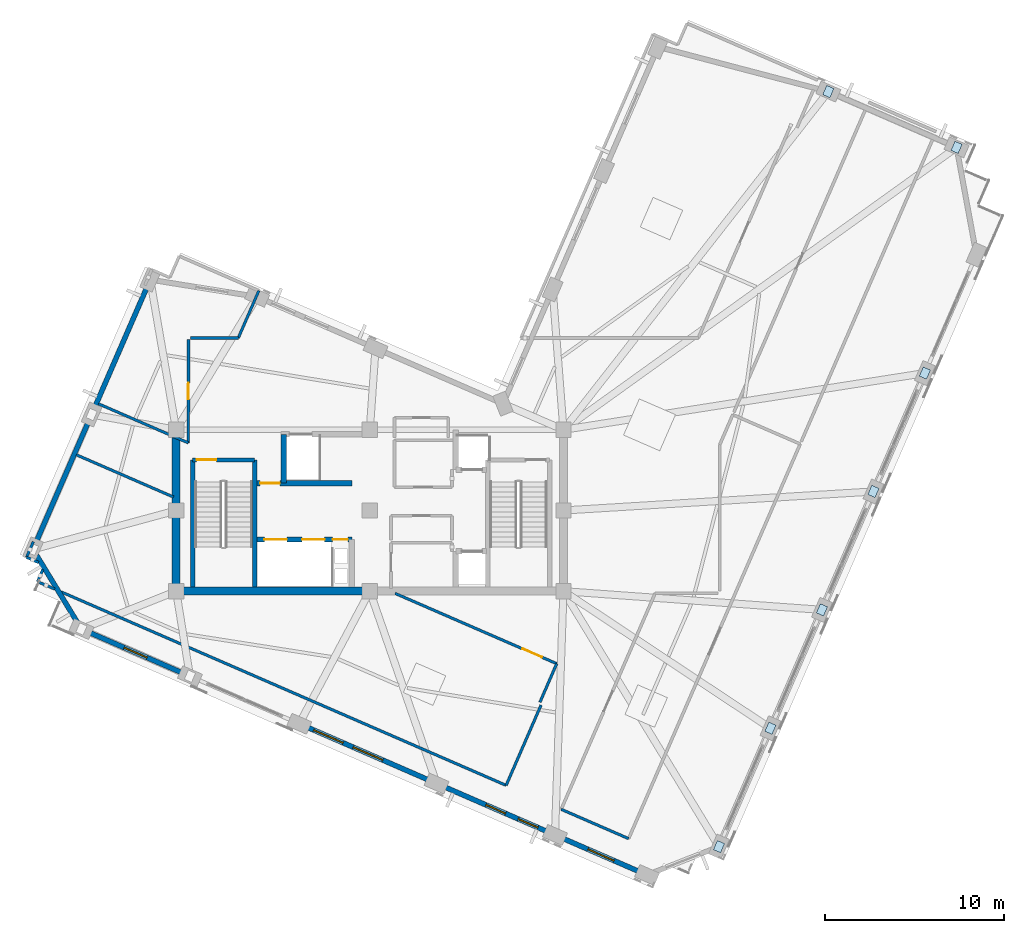
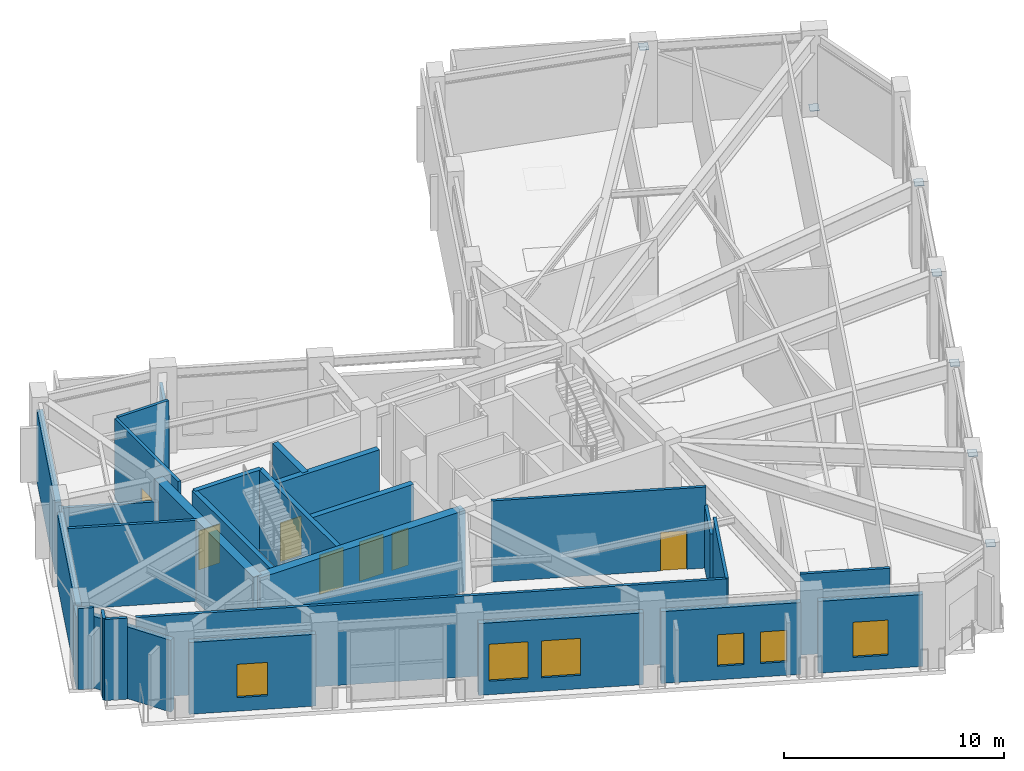
# One storey, part 10 of 16: 29 walls, 7 doors, 7 plates, 6 windows, 13 openings.
"""IFC4 building model written with IfcOpenShell, lengths in metres."""

from ifc_helpers import new_model, si_unit, direction, frame, frame_2d, origin, origin_2d, place, context, subcontext, project, spatial, rectangle, extrude, material, layer, layer_set, type_object, element, fill, save


model = new_model("IFC4")

# Units and contexts
model_context = context("Model", 3, precision=1e-05, world=origin(), true_north=direction((0.0, 1.0)))
body_context = subcontext(model_context, "Body", "Model", "MODEL_VIEW")
ifc_project = project(units=[si_unit("LENGTHUNIT", "METRE"), si_unit("AREAUNIT", "SQUARE_METRE"), si_unit("VOLUMEUNIT", "CUBIC_METRE"), si_unit("PLANEANGLEUNIT", "RADIAN"), si_unit("MASSUNIT", "GRAM", prefix="KILO")], contexts=[model_context])

# Site, building, storey
site_placement = place(None, origin())
site = spatial("IfcSite", under=ifc_project, at=site_placement, CompositionType="ELEMENT")
building_placement = place(site_placement, origin())
building = spatial("IfcBuilding", under=site, at=building_placement, Name="Gaonmaruhae Medical Tower", CompositionType="ELEMENT")
storey_placement = place(building_placement, frame((0.0, 0.0, 333.39990234375)))
storey = spatial("IfcBuildingStorey", under=building, at=storey_placement, Name="L80", CompositionType="ELEMENT", Elevation=333.39990234375)

# Plates
ifc_material_1 = material(Name="Steel HSA650 (650 MPa)", Category="steel")
ifc_layer_1 = layer(ifc_material_1, 0.028076171875)
ifc_layer_set_1 = layer_set([ifc_layer_1], Name="Steel HSA650 (650 MPa)")
plate_type = type_object("IfcPlateType", Name="GP-02 Tube Brace End Cap Gusset Plate", PredefinedType="USERDEFINED", material=ifc_layer_set_1)
for number, where, z_axis, x_axis, name in (
    (1, (57.525634765625, 32.552734375, 0.23583984375), (0.0, 0.0, 1.0), (0.398749068925, 0.917060074385, 0.0), "L80 Gusset Cap Plate PLT-L80-PBR-E01A"),
    (2, (50.372802734375, 35.662841796875, 4.23583984375), (0.0, 0.0, 1.0), (0.398749068925, 0.917060074385, 0.0), "L80 Gusset Cap Plate PLT-L80-PBR-E01B"),
    (3, (44.275146484375, -6.448486328125, 4.3310546875), (0.0, 0.0, 1.0), (0.398749068925, 0.917060074385, 0.0), "L80 Gusset Cap Plate PLT-L80-PR01A"),
    (4, (47.14599609375, 0.154296875, 4.3310546875), (0.0, 0.0, 1.0), (0.398749068925, 0.917060074385, 0.0), "L80 Gusset Cap Plate PLT-L80-PR01B"),
    (5, (50.01708984375, 6.75732421875, 4.3310546875), (0.0, 0.0, 1.0), (0.398749068925, 0.917060074385, 0.0), "L80 Gusset Cap Plate PLT-L80-PR02B"),
    (6, (52.88818359375, 13.360107421875, 4.3310546875), (0.0, 0.0, 1.0), (0.398749068925, 0.917060074385, 0.0), "L80 Gusset Cap Plate PLT-L80-PR03B"),
    (7, (55.759033203125, 19.962890625, 4.3310546875), (0.0, 0.0, 1.0), (0.398749068925, 0.917060074385, 0.0), "L80 Gusset Cap Plate PLT-L80-PR04B"),
):
    element("IfcPlate", number, at=place(storey_placement, frame(where, z_axis=z_axis, x_axis=x_axis)), inside=storey, type_object=plate_type, Name=name, ObjectType="GUSSET_PLATE", PredefinedType="USERDEFINED", context=body_context, shape_type="SweptSolid", body=[
        extrude(rectangle(XDim=0.56005859375, YDim=0.43994140625, at=origin_2d()), origin(), (0.0, 0.0, 1.0), 0.028076171875),
    ])

# Walls
ifc_material_2 = material(Name="Concrete C50/60", Category="concrete")
ifc_layer_2 = layer(ifc_material_2, 0.449951171875)
ifc_layer_set_2 = layer_set([ifc_layer_2], Name="Concrete C50/60")
wall_type_1 = type_object("IfcWallType", Name="CW-450 Upper Core Shear Wall", PredefinedType="SHEAR", material=ifc_layer_set_2)
wall_1_placement = place(storey_placement, frame((14.0, 7.800048828125, 0.0), z_axis=(0.0, 0.0, 1.0), x_axis=(1.0, 0.0, 0.0)))
element("IfcWall", 8, at=wall_1_placement, inside=storey, type_object=wall_type_1, Name="L80 Core Shear Wall CSW-S1", PredefinedType="SHEAR", context=body_context, shape_type="SweptSolid", body=[
    extrude(rectangle(XDim=10.800048828125, YDim=0.449951171875, at=frame_2d((5.39990234375, 0.0))), origin(), (0.0, 0.0, 1.0), 4.5),
])
wall_2_placement = place(storey_placement, frame((14.0, 16.800048828125, 0.0), z_axis=(0.0, 0.0, 1.0), x_axis=(0.0, -1.0, 0.0)))
element("IfcWall", 9, at=wall_2_placement, inside=storey, type_object=wall_type_1, Name="L80 Core Shear Wall CSW-W1", PredefinedType="SHEAR", context=body_context, shape_type="SweptSolid", body=[
    extrude(rectangle(XDim=9.0, YDim=0.449951171875, at=frame_2d((4.5, 0.0))), origin(), (0.0, 0.0, 1.0), 4.5),
])
ifc_material_3 = material(Name="Precast concrete C45/55", Category="concrete")
ifc_layer_3 = layer(ifc_material_3, 0.280029296875)
ifc_layer_set_3 = layer_set([ifc_layer_3], Name="Precast concrete C45/55")
wall_type_2 = type_object("IfcWallType", Name="EW-280 Upper Precast Masonry-Frame Facade Wall", PredefinedType="SOLIDWALL", material=ifc_layer_set_3)
wall_3_placement = place(storey_placement, frame((9.44189453125, 18.01806640625, 0.0), z_axis=(0.0, 0.0, 1.0), x_axis=(0.398768305896, 0.917051709672, 0.0)))
element("IfcWall", 10, at=wall_3_placement, inside=storey, type_object=wall_type_2, Name="L80 Precast Masonry-Frame Wall N01-N02", PredefinedType="SOLIDWALL", context=body_context, shape_type="SweptSolid", body=[
    extrude(rectangle(XDim=7.405029296875, YDim=0.280029296875, at=frame_2d((3.70263671875, 0.0))), origin(), (0.0, 0.0, 1.0), 3.985107421875),
])
wall_4_placement = place(storey_placement, frame((6.17236328125, 10.498046875, 0.0), z_axis=(0.0, 0.0, 1.0), x_axis=(0.398740578379, 0.917063766133, 0.0)))
element("IfcWall", 11, at=wall_4_placement, inside=storey, type_object=wall_type_2, Name="L80 Precast Masonry-Frame Wall N02-N03", PredefinedType="SOLIDWALL", context=body_context, shape_type="SweptSolid", body=[
    extrude(rectangle(XDim=7.40478515625, YDim=0.280029296875, at=frame_2d((3.702392578125, 0.0))), origin(), (0.0, 0.0, 1.0), 3.985107421875),
])
wall_5_placement = place(storey_placement, frame((8.508544921875, 6.02734375, 0.0), z_axis=(0.0, 0.0, 1.0), x_axis=(-0.51924554751, 0.854625099907, 0.0)))
element("IfcWall", 12, at=wall_5_placement, inside=storey, type_object=wall_type_2, Name="L80 Precast Masonry-Frame Wall N03-W01", PredefinedType="SOLIDWALL", context=body_context, shape_type="SweptSolid", body=[
    extrude(rectangle(XDim=4.406982421875, YDim=0.280029296875, at=frame_2d((2.20361328125, 0.0))), origin(), (0.0, 0.0, 1.0), 3.985107421875),
])

# Wall, opening, window
wall_6_placement = place(storey_placement, frame((14.403076171875, 3.214599609375, 0.0), z_axis=(0.0, 0.0, 1.0), x_axis=(-0.917061363729, 0.398746103624, 0.0)))
wall_6 = element("IfcWall", 13, at=wall_6_placement, inside=storey, type_object=wall_type_2, Name="L80 Precast Masonry-Frame Wall W01-W02", PredefinedType="SOLIDWALL", context=body_context, shape_type="SweptSolid", body=[
    extrude(rectangle(XDim=5.804931640625, YDim=0.280029296875, at=frame_2d((2.90234375, 0.0))), origin(), (0.0, 0.0, 1.0), 3.985107421875),
])
opening_1_placement = place(wall_6_placement, frame((2.202392578125, 0.0, 0.75)))
opening_1 = element("IfcOpeningElement", 14, at=opening_1_placement, cuts=wall_6, Name="Opening WN-03", PredefinedType="OPENING", context=body_context, shape_type="SweptSolid", body=[
    extrude(rectangle(XDim=1.39990234375, YDim=1.85009765625, at=frame_2d((0.699951171875, 0.925048828125))), frame((0.0, 0.14990234375, 0.0), z_axis=(0.0, -1.0, 0.0), x_axis=(1.0, 0.0, 0.0)), (0.0, 0.0, 1.0), 0.300048828125),
])
ifc_material_4 = material(Name="Anodised aluminium and Low-E double glazing", Category="aluminium")
window_type_1 = type_object("IfcWindowType", Name="WN-03 Isolation Ward Punched Window 1400x1850", PartitioningType="SINGLE_PANEL", PredefinedType="WINDOW", material=ifc_material_4)
window_1_placement = place(opening_1_placement, origin())
window_1 = element("IfcWindow", 15, at=window_1_placement, inside=storey, type_object=window_type_1, Name="L80 Modular Facade Window W01", OverallHeight=1.85009765625, OverallWidth=1.39990234375, PartitioningType="SINGLE_PANEL", PredefinedType="WINDOW", context=body_context, shape_type="SweptSolid", body=[
    extrude(rectangle(XDim=1.39990234375, YDim=1.85009765625, at=frame_2d((0.699951171875, 0.925048828125))), frame((0.0, 0.030029296875, 0.0), z_axis=(0.0, -1.0, 0.0), x_axis=(1.0, 0.0, 0.0)), (0.0, 0.0, 1.0), 0.06005859375),
])
fill(opening_1, window_1)

# Wall, openings, windows
wall_7_placement = place(storey_placement, frame((28.158935546875, -2.766845703125, 0.0), z_axis=(0.0, 0.0, 1.0), x_axis=(-0.917061321999, 0.398746199597, 0.0)))
wall_7 = element("IfcWall", 16, at=wall_7_placement, inside=storey, type_object=wall_type_2, Name="L80 Precast Masonry-Frame Wall W03-W04", PredefinedType="SOLIDWALL", context=body_context, shape_type="SweptSolid", body=[
    extrude(rectangle(XDim=7.5546875, YDim=0.280029296875, at=frame_2d((3.77734375, 0.0))), origin(), (0.0, 0.0, 1.0), 3.985107421875),
])
opening_2_placement = place(wall_7_placement, frame((2.87744140625, 0.0, 0.75)))
opening_2 = element("IfcOpeningElement", 17, at=opening_2_placement, cuts=wall_7, Name="Opening WN-04", PredefinedType="OPENING", context=body_context, shape_type="SweptSolid", body=[
    extrude(rectangle(XDim=1.800048828125, YDim=2.050048828125, at=frame_2d((0.89990234375, 1.02490234375))), frame((0.0, 0.14990234375, 0.0), z_axis=(0.0, -1.0, 0.0), x_axis=(1.0, 0.0, 0.0)), (0.0, 0.0, 1.0), 0.300048828125),
])
opening_3_placement = place(wall_7_placement, frame((5.281005859375, 0.0, 0.75)))
opening_3 = element("IfcOpeningElement", 18, at=opening_3_placement, cuts=wall_7, Name="Opening WN-04", PredefinedType="OPENING", context=body_context, shape_type="SweptSolid", body=[
    extrude(rectangle(XDim=1.800048828125, YDim=2.050048828125, at=frame_2d((0.89990234375, 1.02490234375))), frame((0.0, 0.14990234375, 0.0), z_axis=(0.0, -1.0, 0.0), x_axis=(1.0, 0.0, 0.0)), (0.0, 0.0, 1.0), 0.300048828125),
])
window_type_2 = type_object("IfcWindowType", Name="WN-04 Clinic & Consult Punched Window 1800x2050", PartitioningType="SINGLE_PANEL", PredefinedType="WINDOW", material=ifc_material_4)
window_2_placement = place(opening_2_placement, origin())
window_2 = element("IfcWindow", 19, at=window_2_placement, inside=storey, type_object=window_type_2, Name="L80 Modular Facade Window W03", OverallHeight=2.050048828125, OverallWidth=1.800048828125, PartitioningType="SINGLE_PANEL", PredefinedType="WINDOW", context=body_context, shape_type="SweptSolid", body=[
    extrude(rectangle(XDim=1.800048828125, YDim=2.050048828125, at=frame_2d((0.89990234375, 1.02490234375))), frame((0.0, 0.030029296875, 0.0), z_axis=(0.0, -1.0, 0.0), x_axis=(1.0, 0.0, 0.0)), (0.0, 0.0, 1.0), 0.06005859375),
])
fill(opening_2, window_2)
window_3_placement = place(opening_3_placement, origin())
window_3 = element("IfcWindow", 20, at=window_3_placement, inside=storey, type_object=window_type_2, Name="L80 Modular Facade Window W03B", OverallHeight=2.050048828125, OverallWidth=1.800048828125, PartitioningType="SINGLE_PANEL", PredefinedType="WINDOW", context=body_context, shape_type="SweptSolid", body=[
    extrude(rectangle(XDim=1.800048828125, YDim=2.050048828125, at=frame_2d((0.89990234375, 1.02490234375))), frame((0.0, 0.030029296875, 0.0), z_axis=(0.0, -1.0, 0.0), x_axis=(1.0, 0.0, 0.0)), (0.0, 0.0, 1.0), 0.06005859375),
])
fill(opening_3, window_3)

wall_8_placement = place(storey_placement, frame((34.76171875, -5.6376953125, 0.0), z_axis=(0.0, 0.0, 1.0), x_axis=(-0.917056117272, 0.398758169539, 0.0)))
wall_8 = element("IfcWall", 21, at=wall_8_placement, inside=storey, type_object=wall_type_2, Name="L80 Precast Masonry-Frame Wall W04-W05", PredefinedType="SOLIDWALL", context=body_context, shape_type="SweptSolid", body=[
    extrude(rectangle(XDim=6.40478515625, YDim=0.280029296875, at=frame_2d((3.202392578125, 0.0))), origin(), (0.0, 0.0, 1.0), 3.985107421875),
])
opening_4_placement = place(wall_8_placement, frame((2.6025390625, 0.0, 0.75)))
opening_4 = element("IfcOpeningElement", 22, at=opening_4_placement, cuts=wall_8, Name="Opening WN-05", PredefinedType="OPENING", context=body_context, shape_type="SweptSolid", body=[
    extrude(rectangle(XDim=1.199951171875, YDim=1.75, at=frame_2d((0.60009765625, 0.875))), frame((0.0, 0.14990234375, 0.0), z_axis=(0.0, -1.0, 0.0), x_axis=(1.0, 0.0, 0.0)), (0.0, 0.0, 1.0), 0.300048828125),
])
opening_5_placement = place(wall_8_placement, frame((0.63623046875, 0.0, 0.75)))
opening_5 = element("IfcOpeningElement", 23, at=opening_5_placement, cuts=wall_8, Name="Opening WN-05", PredefinedType="OPENING", context=body_context, shape_type="SweptSolid", body=[
    extrude(rectangle(XDim=1.199951171875, YDim=1.75, at=frame_2d((0.60009765625, 0.875))), frame((0.0, 0.14990234375, 0.0), z_axis=(0.0, -1.0, 0.0), x_axis=(1.0, 0.0, 0.0)), (0.0, 0.0, 1.0), 0.300048828125),
])
window_type_3 = type_object("IfcWindowType", Name="WN-05 Support & Staff Punched Window 1200x1750", PartitioningType="SINGLE_PANEL", PredefinedType="WINDOW", material=ifc_material_4)
window_4_placement = place(opening_4_placement, origin())
window_4 = element("IfcWindow", 24, at=window_4_placement, inside=storey, type_object=window_type_3, Name="L80 Modular Facade Window W04", OverallHeight=1.75, OverallWidth=1.199951171875, PartitioningType="SINGLE_PANEL", PredefinedType="WINDOW", context=body_context, shape_type="SweptSolid", body=[
    extrude(rectangle(XDim=1.199951171875, YDim=1.75, at=frame_2d((0.60009765625, 0.875))), frame((0.0, 0.030029296875, 0.0), z_axis=(0.0, -1.0, 0.0), x_axis=(1.0, 0.0, 0.0)), (0.0, 0.0, 1.0), 0.06005859375),
])
fill(opening_4, window_4)
window_5_placement = place(opening_5_placement, origin())
window_5 = element("IfcWindow", 25, at=window_5_placement, inside=storey, type_object=window_type_3, Name="L80 Modular Facade Window W04B", OverallHeight=1.75, OverallWidth=1.199951171875, PartitioningType="SINGLE_PANEL", PredefinedType="WINDOW", context=body_context, shape_type="SweptSolid", body=[
    extrude(rectangle(XDim=1.199951171875, YDim=1.75, at=frame_2d((0.60009765625, 0.875))), frame((0.0, 0.030029296875, 0.0), z_axis=(0.0, -1.0, 0.0), x_axis=(1.0, 0.0, 0.0)), (0.0, 0.0, 1.0), 0.06005859375),
])
fill(opening_5, window_5)

# Wall, opening, window
wall_9_placement = place(storey_placement, frame((39.897216796875, -7.870849609375, 0.0), z_axis=(0.0, 0.0, 1.0), x_axis=(-0.917050667534, 0.398770702505, 0.0)))
wall_9 = element("IfcWall", 26, at=wall_9_placement, inside=storey, type_object=wall_type_2, Name="L80 Precast Masonry-Frame Wall W05-W06", PredefinedType="SOLIDWALL", context=body_context, shape_type="SweptSolid", body=[
    extrude(rectangle(XDim=4.8046875, YDim=0.280029296875, at=frame_2d((2.40234375, 0.0))), origin(), (0.0, 0.0, 1.0), 3.985107421875),
])
opening_6_placement = place(wall_9_placement, frame((1.6025390625, 0.0, 0.75)))
opening_6 = element("IfcOpeningElement", 27, at=opening_6_placement, cuts=wall_9, Name="Opening WN-01", PredefinedType="OPENING", context=body_context, shape_type="SweptSolid", body=[
    extrude(rectangle(XDim=1.60009765625, YDim=1.949951171875, at=frame_2d((0.800048828125, 0.97509765625))), frame((0.0, 0.14990234375, 0.0), z_axis=(0.0, -1.0, 0.0), x_axis=(1.0, 0.0, 0.0)), (0.0, 0.0, 1.0), 0.300048828125),
])
window_type_4 = type_object("IfcWindowType", Name="WN-01 Ward Punched Acoustic Window 1600x1950", PartitioningType="SINGLE_PANEL", PredefinedType="WINDOW", material=ifc_material_4)
window_6_placement = place(opening_6_placement, origin())
window_6 = element("IfcWindow", 28, at=window_6_placement, inside=storey, type_object=window_type_4, Name="L80 Modular Facade Window W05", OverallHeight=1.949951171875, OverallWidth=1.60009765625, PartitioningType="SINGLE_PANEL", PredefinedType="WINDOW", context=body_context, shape_type="SweptSolid", body=[
    extrude(rectangle(XDim=1.60009765625, YDim=1.949951171875, at=frame_2d((0.800048828125, 0.97509765625))), frame((0.0, 0.030029296875, 0.0), z_axis=(0.0, -1.0, 0.0), x_axis=(1.0, 0.0, 0.0)), (0.0, 0.0, 1.0), 0.06005859375),
])
fill(opening_6, window_6)

# Walls
ifc_material_5 = material(Name="Gypsum board partition", Category="gypsum")
ifc_layer_4 = layer(ifc_material_5, 0.14990234375)
ifc_layer_set_4 = layer_set([ifc_layer_4], Name="Gypsum board partition")
wall_type_3 = type_object("IfcWallType", Name="PW-150 Rated Clinical Corridor Partition", PredefinedType="PARTITIONING", material=ifc_layer_set_4)
wall_10_placement = place(storey_placement, frame((39.235107421875, -6.001953125, 0.0), z_axis=(0.0, 0.0, 1.0), x_axis=(-0.917050175276, 0.398771834545, 0.0)))
element("IfcWall", 29, at=wall_10_placement, inside=storey, type_object=wall_type_3, Name="L80 Interior Partition L80-LOOK-18", PredefinedType="PARTITIONING", context=body_context, shape_type="SweptSolid", body=[
    extrude(rectangle(XDim=4.10009765625, YDim=0.14990234375, at=frame_2d((2.050048828125, 0.0))), origin(), (0.0, 0.0, 1.0), 4.5),
])
wall_11_placement = place(storey_placement, frame((5.656982421875, 9.68896484375, 0.0), z_axis=(0.0, 0.0, 1.0), x_axis=(0.398763788566, 0.917053673963, 0.0)))
element("IfcWall", 30, at=wall_11_placement, inside=storey, type_object=wall_type_3, Name="L80 Interior Partition L80-OFF-32", PredefinedType="PARTITIONING", context=body_context, shape_type="SweptSolid", body=[
    extrude(rectangle(XDim=0.94775390625, YDim=0.14990234375, at=frame_2d((0.473876953125, 0.0))), origin(), (0.0, 0.0, 1.0), 3.985107421875),
])
wall_12_placement = place(storey_placement, frame((8.431884765625, 15.406005859375, 0.0), z_axis=(0.0, 0.0, 1.0), x_axis=(0.917075309006, -0.398714029865, 0.0)))
element("IfcWall", 31, at=wall_12_placement, inside=storey, type_object=wall_type_3, Name="L80 Interior Partition L80-OFF-33", PredefinedType="PARTITIONING", context=body_context, shape_type="SweptSolid", body=[
    extrude(rectangle(XDim=5.911376953125, YDim=0.14990234375, at=frame_2d((2.95556640625, 0.0))), origin(), (0.0, 0.0, 1.0), 4.5),
])

# Wall, opening, door
wall_13_placement = place(storey_placement, frame((26.214111328125, 7.675048828125, 0.0), z_axis=(0.0, 0.0, 1.0), x_axis=(0.91704872202, -0.398775176561, 0.0)))
wall_13 = element("IfcWall", 32, at=wall_13_placement, inside=storey, type_object=wall_type_3, Name="L80 Interior Partition L80-OFF-34", PredefinedType="PARTITIONING", context=body_context, shape_type="SweptSolid", body=[
    extrude(rectangle(XDim=9.824951171875, YDim=0.14990234375, at=frame_2d((4.91259765625, 0.0))), origin(), (0.0, 0.0, 1.0), 4.5),
])
opening_7_placement = place(wall_13_placement, frame((7.739990234375, 0.0, 0.0)))
opening_7 = element("IfcOpeningElement", 33, at=opening_7_placement, cuts=wall_13, Name="Opening CD-02", PredefinedType="OPENING", context=body_context, shape_type="SweptSolid", body=[
    extrude(rectangle(XDim=1.199951171875, YDim=2.14990234375, at=frame_2d((0.60009765625, 1.074951171875))), frame((0.0, 0.0849609375, 0.0), z_axis=(0.0, -1.0, 0.0), x_axis=(1.0, 0.0, 0.0)), (0.0, 0.0, 1.0), 0.169921875),
])
ifc_material_6 = material(Name="Antimicrobial laminate timber fire door", Category="wood")
door_type_1 = type_object("IfcDoorType", Name="CD-02 Clinical Treatment & Procedure Door 1200x2150", OperationType="NOTDEFINED", PredefinedType="DOOR", material=ifc_material_6)
door_1_placement = place(opening_7_placement, origin())
door_1 = element("IfcDoor", 34, at=door_1_placement, inside=storey, type_object=door_type_1, Name="L80 Observation Deck Security and Visitor Office Door", OperationType="SINGLE_SWING_LEFT", OverallHeight=2.14990234375, OverallWidth=1.199951171875, PredefinedType="DOOR", context=body_context, shape_type="SweptSolid", body=[
    extrude(rectangle(XDim=1.199951171875, YDim=2.14990234375, at=frame_2d((0.60009765625, 1.074951171875))), frame((0.0, 0.02490234375, 0.0), z_axis=(0.0, -1.0, 0.0), x_axis=(1.0, 0.0, 0.0)), (0.0, 0.0, 1.0), 0.050048828125),
])
fill(opening_7, door_1)

# Walls
wall_14_placement = place(storey_placement, frame((35.22412109375, 3.757080078125, 0.0), z_axis=(0.0, 0.0, 1.0), x_axis=(-0.398741307155, -0.91706344926, 0.0)))
element("IfcWall", 35, at=wall_14_placement, inside=storey, type_object=wall_type_3, Name="L80 Interior Partition L80-OFF-35", PredefinedType="PARTITIONING", context=body_context, shape_type="SweptSolid", body=[
    extrude(rectangle(XDim=2.349853515625, YDim=0.14990234375, at=frame_2d((1.1748046875, 0.0))), origin(), (0.0, 0.0, 1.0), 3.485107421875),
])
wall_15_placement = place(storey_placement, frame((34.34912109375, 1.444091796875, 0.0), z_axis=(0.0, 0.0, 1.0), x_axis=(-0.398786480213, -0.917043806587, 0.0)))
element("IfcWall", 36, at=wall_15_placement, inside=storey, type_object=wall_type_3, Name="L80 Interior Partition L80-OFF-36", PredefinedType="PARTITIONING", context=body_context, shape_type="SweptSolid", body=[
    extrude(rectangle(XDim=4.8798828125, YDim=0.14990234375, at=frame_2d((2.43994140625, 0.0))), origin(), (0.0, 0.0, 1.0), 4.5),
])
wall_16_placement = place(storey_placement, frame((32.403076171875, -3.031005859375, 0.0), z_axis=(0.0, 0.0, 1.0), x_axis=(-0.917060874319, 0.398747229197, 0.0)))
element("IfcWall", 37, at=wall_16_placement, inside=storey, type_object=wall_type_3, Name="L80 Interior Partition L80-OFF-37", PredefinedType="PARTITIONING", context=body_context, shape_type="SweptSolid", body=[
    extrude(rectangle(XDim=27.054931640625, YDim=0.14990234375, at=frame_2d((13.52734375, 0.0))), origin(), (0.0, 0.0, 1.0), 4.5),
])
wall_17_placement = place(storey_placement, frame((7.22705078125, 7.916015625, 0.0), z_axis=(0.0, 0.0, 1.0), x_axis=(-0.917203511851, 0.39841902295, 0.0)))
element("IfcWall", 38, at=wall_17_placement, inside=storey, type_object=wall_type_3, Name="L80 Interior Partition L80-OFF-38", PredefinedType="PARTITIONING", context=body_context, shape_type="SweptSolid", body=[
    extrude(rectangle(XDim=1.046630859375, YDim=0.14990234375, at=frame_2d((0.5234375, 0.0))), origin(), (0.0, 0.0, 1.0), 4.5),
])
wall_18_placement = place(storey_placement, frame((6.26708984375, 8.3330078125, 0.0), z_axis=(0.0, 0.0, 1.0), x_axis=(0.399378823776, 0.916785991996, 0.0)))
element("IfcWall", 39, at=wall_18_placement, inside=storey, type_object=wall_type_3, Name="L80 Interior Partition L80-OFF-39", PredefinedType="PARTITIONING", context=body_context, shape_type="SweptSolid", body=[
    extrude(rectangle(XDim=0.738525390625, YDim=0.14990234375, at=frame_2d((0.369140625, 0.0))), origin(), (0.0, 0.0, 1.0), 4.5),
])
wall_19_placement = place(storey_placement, frame((6.325927734375, 9.39794921875, 0.0), z_axis=(0.0, 0.0, 1.0), x_axis=(-0.916984905679, 0.398921900573, 0.0)))
element("IfcWall", 40, at=wall_19_placement, inside=storey, type_object=wall_type_3, Name="L80 Interior Partition L80-OFF-40", PredefinedType="PARTITIONING", context=body_context, shape_type="SweptSolid", body=[
    extrude(rectangle(XDim=0.7294921875, YDim=0.14990234375, at=frame_2d((0.36474609375, 0.0))), origin(), (0.0, 0.0, 1.0), 4.5),
])
wall_20_placement = place(storey_placement, frame((18.610107421875, 24.556884765625, 0.0), z_axis=(0.0, 0.0, 1.0), x_axis=(-0.398934093672, -0.916979601139, 0.0)))
element("IfcWall", 41, at=wall_20_placement, inside=storey, type_object=wall_type_3, Name="L80 Interior Partition L80-HSK-42", PredefinedType="PARTITIONING", context=body_context, shape_type="SweptSolid", body=[
    extrude(rectangle(XDim=2.875732421875, YDim=0.14990234375, at=frame_2d((1.43798828125, 0.0))), origin(), (0.0, 0.0, 1.0), 3.485107421875),
])
wall_21_placement = place(storey_placement, frame((17.462890625, 21.919921875, 0.0), z_axis=(0.0, 0.0, 1.0), x_axis=(-1.0, 0.0, 0.0)))
element("IfcWall", 42, at=wall_21_placement, inside=storey, type_object=wall_type_3, Name="L80 Interior Partition L80-HSK-43", PredefinedType="PARTITIONING", context=body_context, shape_type="SweptSolid", body=[
    extrude(rectangle(XDim=2.662841796875, YDim=0.14990234375, at=frame_2d((1.33154296875, 0.0))), origin(), (0.0, 0.0, 1.0), 4.5),
])

# Wall, opening, door
wall_22_placement = place(storey_placement, frame((14.68896484375, 21.845947265625, 0.0), z_axis=(0.0, 0.0, 1.0), x_axis=(-0.001563951084, -0.999998777028, 0.0)))
wall_22 = element("IfcWall", 43, at=wall_22_placement, inside=storey, type_object=wall_type_3, Name="L80 Interior Partition L80-HSK-44", PredefinedType="PARTITIONING", context=body_context, shape_type="SweptSolid", body=[
    extrude(rectangle(XDim=5.77587890625, YDim=0.14990234375, at=frame_2d((2.887939453125, 0.0))), origin(), (0.0, 0.0, 1.0), 4.5),
])
opening_8_placement = place(wall_22_placement, frame((2.427978515625, 0.0, 0.0)))
opening_8 = element("IfcOpeningElement", 44, at=opening_8_placement, cuts=wall_22, Name="Opening UD-01", PredefinedType="OPENING", context=body_context, shape_type="SweptSolid", body=[
    extrude(rectangle(XDim=0.919921875, YDim=2.10009765625, at=frame_2d((0.4599609375, 1.050048828125))), frame((0.0, 0.0849609375, 0.0), z_axis=(0.0, -1.0, 0.0), x_axis=(1.0, 0.0, 0.0)), (0.0, 0.0, 1.0), 0.169921875),
])
ifc_material_7 = material(Name="Powder-coated steel utility door", Category="steel")
door_type_2 = type_object("IfcDoorType", Name="UD-01 Toilet, Utility & Housekeeping Door 920x2100", OperationType="NOTDEFINED", PredefinedType="DOOR", material=ifc_material_7)
door_2_placement = place(opening_8_placement, origin())
door_2 = element("IfcDoor", 45, at=door_2_placement, inside=storey, type_object=door_type_2, Name="L80 Observation Level Housekeeping Store Door", OperationType="SINGLE_SWING_RIGHT", OverallHeight=2.10009765625, OverallWidth=0.919921875, PredefinedType="DOOR", context=body_context, shape_type="SweptSolid", body=[
    extrude(rectangle(XDim=0.919921875, YDim=2.10009765625, at=frame_2d((0.4599609375, 1.050048828125))), frame((0.0, 0.02490234375, 0.0), z_axis=(0.0, -1.0, 0.0), x_axis=(1.0, 0.0, 0.0)), (0.0, 0.0, 1.0), 0.050048828125),
])
fill(opening_8, door_2)

# Wall
wall_23_placement = place(storey_placement, frame((14.679931640625, 16.070068359375, 0.0), z_axis=(0.0, 0.0, 1.0), x_axis=(-0.917080709133, 0.398701608895, 0.0)))
element("IfcWall", 46, at=wall_23_placement, inside=storey, type_object=wall_type_3, Name="L80 Interior Partition L80-HSK-45", PredefinedType="PARTITIONING", context=body_context, shape_type="SweptSolid", body=[
    extrude(rectangle(XDim=5.465087890625, YDim=0.14990234375, at=frame_2d((2.732421875, 0.0))), origin(), (0.0, 0.0, 1.0), 3.485107421875),
])

# Wall, opening, door
ifc_layer_5 = layer(ifc_material_2, 0.239990234375)
ifc_layer_set_5 = layer_set([ifc_layer_5], Name="Concrete C50/60")
wall_type_4 = type_object("IfcWallType", Name="SW-240 Dogleg Stair Tight Shaft Wall", PredefinedType="SOLIDWALL", material=ifc_layer_set_5)
wall_24_placement = place(storey_placement, frame((14.919921875, 15.1201171875, 0.0), z_axis=(0.0, 0.0, 1.0), x_axis=(1.0, 0.0, 0.0)))
wall_24 = element("IfcWall", 47, at=wall_24_placement, inside=storey, type_object=wall_type_4, Name="L80 ST-01 Stair Shaft Wall SHW-ST-01-N", PredefinedType="SOLIDWALL", context=body_context, shape_type="SweptSolid", body=[
    extrude(rectangle(XDim=3.4599609375, YDim=0.239990234375, at=frame_2d((1.72998046875, 0.0))), origin(), (0.0, 0.0, 1.0), 4.5),
])
opening_9_placement = place(wall_24_placement, frame((0.219970703125, 0.0, 0.0)))
opening_9 = element("IfcOpeningElement", 48, at=opening_9_placement, cuts=wall_24, Name="Opening FD-01", PredefinedType="OPENING", context=body_context, shape_type="SweptSolid", body=[
    extrude(rectangle(XDim=1.10009765625, YDim=2.14990234375, at=frame_2d((0.550048828125, 1.074951171875))), frame((0.0, 0.1298828125, 0.0), z_axis=(0.0, -1.0, 0.0), x_axis=(1.0, 0.0, 0.0)), (0.0, 0.0, 1.0), 0.260009765625),
])
ifc_material_8 = material(Name="Powder-coated steel fire door", Category="steel")
door_type_3 = type_object("IfcDoorType", Name="FD-01 Escape Stair Protected Fire Door 1100x2150", OperationType="NOTDEFINED", PredefinedType="DOOR", material=ifc_material_8)
door_3_placement = place(opening_9_placement, origin())
door_3 = element("IfcDoor", 49, at=door_3_placement, inside=storey, type_object=door_type_3, Name="L80 ST-01 Protected Escape Stair Door", OperationType="SINGLE_SWING_RIGHT", OverallHeight=2.14990234375, OverallWidth=1.10009765625, PredefinedType="DOOR", context=body_context, shape_type="SweptSolid", body=[
    extrude(rectangle(XDim=1.10009765625, YDim=2.14990234375, at=frame_2d((0.550048828125, 1.074951171875))), frame((0.0, 0.02490234375, 0.0), z_axis=(0.0, -1.0, 0.0), x_axis=(1.0, 0.0, 0.0)), (0.0, 0.0, 1.0), 0.050048828125),
])
fill(opening_9, door_3)

# Walls
for number, where, z_axis, x_axis, name in (
    (50, (18.3798828125, 15.1201171875, 0.0), (0.0, 0.0, 1.0), (0.0, -1.0, 0.0), "L80 ST-01 Stair Shaft Wall SHW-ST-01-E"),
    (51, (14.919921875, 8.02490234375, 0.0), (0.0, 0.0, 1.0), (0.0, 1.0, 0.0), "L80 ST-01 Stair Shaft Wall SHW-ST-01-W"),
):
    element("IfcWall", number, at=place(storey_placement, frame(where, z_axis=z_axis, x_axis=x_axis)), inside=storey, type_object=wall_type_4, Name=name, PredefinedType="SOLIDWALL", context=body_context, shape_type="SweptSolid", body=[
        extrude(rectangle(XDim=7.09521484375, YDim=0.239990234375, at=frame_2d((3.547607421875, 0.0))), origin(), (0.0, 0.0, 1.0), 4.5),
    ])

# Wall, openings, doors
ifc_layer_6 = layer(ifc_material_2, 0.300048828125)
ifc_layer_set_6 = layer_set([ifc_layer_6], Name="Concrete C50/60")
wall_type_5 = type_object("IfcWallType", Name="SW-300 Stair & Lift Hoistway Shaft Wall", PredefinedType="SOLIDWALL", material=ifc_layer_set_6)
wall_25_placement = place(storey_placement, frame((18.5, 10.679931640625, 0.0), z_axis=(0.0, 0.0, 1.0), x_axis=(1.0, 0.0, 0.0)))
wall_25 = element("IfcWall", 52, at=wall_25_placement, inside=storey, type_object=wall_type_5, Name="L80 Shaft Enclosure Wall SHW-FFN", PredefinedType="SOLIDWALL", context=body_context, shape_type="SweptSolid", body=[
    extrude(rectangle(XDim=5.300048828125, YDim=0.300048828125, at=frame_2d((2.64990234375, 0.0))), origin(), (0.0, 0.0, 1.0), 4.5),
])
opening_10_placement = place(wall_25_placement, frame((4.219970703125, 0.0, 0.0)))
opening_10 = element("IfcOpeningElement", 53, at=opening_10_placement, cuts=wall_25, Name="Opening AD-01", PredefinedType="OPENING", context=body_context, shape_type="SweptSolid", body=[
    extrude(rectangle(XDim=0.860107421875, YDim=2.06005859375, at=frame_2d((0.43017578125, 1.030029296875))), frame((0.0, 0.16015625, 0.0), z_axis=(0.0, -1.0, 0.0), x_axis=(1.0, 0.0, 0.0)), (0.0, 0.0, 1.0), 0.320068359375),
])
opening_11_placement = place(wall_25_placement, frame((0.425048828125, 0.0, 0.0)))
opening_11 = element("IfcOpeningElement", 54, at=opening_11_placement, cuts=wall_25, Name="Opening LD-F1", PredefinedType="OPENING", context=body_context, shape_type="SweptSolid", body=[
    extrude(rectangle(XDim=1.25, YDim=2.179931640625, at=frame_2d((0.625, 1.08984375))), frame((0.0, 0.16015625, 0.0), z_axis=(0.0, -1.0, 0.0), x_axis=(1.0, 0.0, 0.0)), (0.0, 0.0, 1.0), 0.320068359375),
])
opening_12_placement = place(wall_25_placement, frame((2.52490234375, 0.0, 0.0)))
opening_12 = element("IfcOpeningElement", 55, at=opening_12_placement, cuts=wall_25, Name="Opening LD-F1", PredefinedType="OPENING", context=body_context, shape_type="SweptSolid", body=[
    extrude(rectangle(XDim=1.25, YDim=2.179931640625, at=frame_2d((0.625, 1.08984375))), frame((0.0, 0.16015625, 0.0), z_axis=(0.0, -1.0, 0.0), x_axis=(1.0, 0.0, 0.0)), (0.0, 0.0, 1.0), 0.320068359375),
])
ifc_material_9 = material(Name="Powder-coated steel access door", Category="steel")
door_type_4 = type_object("IfcDoorType", Name="AD-01 Riser & Closet Access Fire Door 860x2060", OperationType="NOTDEFINED", PredefinedType="DOOR", material=ifc_material_9)
door_4_placement = place(opening_10_placement, origin())
door_4 = element("IfcDoor", 56, at=door_4_placement, inside=storey, type_object=door_type_4, Name="L80 Medical Gas and MEP Riser Access Door", OperationType="SINGLE_SWING_RIGHT", OverallHeight=2.06005859375, OverallWidth=0.860107421875, PredefinedType="DOOR", context=body_context, shape_type="SweptSolid", body=[
    extrude(rectangle(XDim=0.860107421875, YDim=2.06005859375, at=frame_2d((0.43017578125, 1.030029296875))), frame((0.0, 0.02490234375, 0.0), z_axis=(0.0, -1.0, 0.0), x_axis=(1.0, 0.0, 0.0)), (0.0, 0.0, 1.0), 0.050048828125),
])
fill(opening_10, door_4)
ifc_material_10 = material(Name="Brushed stainless steel 316L landing door", Category="steel")
door_type_5 = type_object("IfcDoorType", Name="LD-F1 Firefighting & Bed Lift Sliding Landing Door 1250x2180", OperationType="NOTDEFINED", PredefinedType="DOOR", material=ifc_material_10)
door_5_placement = place(opening_11_placement, origin())
door_5 = element("IfcDoor", 57, at=door_5_placement, inside=storey, type_object=door_type_5, Name="L80 Firefighting Lift Landing Door FFL-01", OperationType="DOUBLE_DOOR_SLIDING", OverallHeight=2.179931640625, OverallWidth=1.25, PredefinedType="DOOR", context=body_context, shape_type="SweptSolid", body=[
    extrude(rectangle(XDim=1.25, YDim=2.179931640625, at=frame_2d((0.625, 1.08984375))), frame((0.0, 0.02490234375, 0.0), z_axis=(0.0, -1.0, 0.0), x_axis=(1.0, 0.0, 0.0)), (0.0, 0.0, 1.0), 0.050048828125),
])
fill(opening_11, door_5)
door_6_placement = place(opening_12_placement, origin())
door_6 = element("IfcDoor", 58, at=door_6_placement, inside=storey, type_object=door_type_5, Name="L80 Firefighting Lift Landing Door FFL-02", OperationType="DOUBLE_DOOR_SLIDING", OverallHeight=2.179931640625, OverallWidth=1.25, PredefinedType="DOOR", context=body_context, shape_type="SweptSolid", body=[
    extrude(rectangle(XDim=1.25, YDim=2.179931640625, at=frame_2d((0.625, 1.08984375))), frame((0.0, 0.02490234375, 0.0), z_axis=(0.0, -1.0, 0.0), x_axis=(1.0, 0.0, 0.0)), (0.0, 0.0, 1.0), 0.050048828125),
])
fill(opening_12, door_6)

# Wall, opening, door
wall_26_placement = place(storey_placement, frame((18.5, 13.820068359375, 0.0), z_axis=(0.0, 0.0, 1.0), x_axis=(1.0, 0.0, 0.0)))
wall_26 = element("IfcWall", 59, at=wall_26_placement, inside=storey, type_object=wall_type_5, Name="L80 Shaft Enclosure Wall SHW-FFL", PredefinedType="SOLIDWALL", context=body_context, shape_type="SweptSolid", body=[
    extrude(rectangle(XDim=5.300048828125, YDim=0.300048828125, at=frame_2d((2.64990234375, 0.0))), origin(), (0.0, 0.0, 1.0), 4.5),
])
opening_13_placement = place(wall_26_placement, frame((0.179931640625, 0.0, 0.0)))
opening_13 = element("IfcOpeningElement", 60, at=opening_13_placement, cuts=wall_26, Name="Opening FD-01", PredefinedType="OPENING", context=body_context, shape_type="SweptSolid", body=[
    extrude(rectangle(XDim=1.10009765625, YDim=2.14990234375, at=frame_2d((0.550048828125, 1.074951171875))), frame((0.0, 0.16015625, 0.0), z_axis=(0.0, -1.0, 0.0), x_axis=(1.0, 0.0, 0.0)), (0.0, 0.0, 1.0), 0.320068359375),
])
door_7_placement = place(opening_13_placement, origin())
door_7 = element("IfcDoor", 61, at=door_7_placement, inside=storey, type_object=door_type_3, Name="L80 Firefighting Lobby Smoke Door", OperationType="SINGLE_SWING_LEFT", OverallHeight=2.14990234375, OverallWidth=1.10009765625, PredefinedType="DOOR", context=body_context, shape_type="SweptSolid", body=[
    extrude(rectangle(XDim=1.10009765625, YDim=2.14990234375, at=frame_2d((0.550048828125, 1.074951171875))), frame((0.0, 0.02490234375, 0.0), z_axis=(0.0, -1.0, 0.0), x_axis=(1.0, 0.0, 0.0)), (0.0, 0.0, 1.0), 0.050048828125),
])
fill(opening_13, door_7)

# Wall
wall_27_placement = place(storey_placement, frame((20.0, 13.820068359375, 0.0), z_axis=(0.0, 0.0, 1.0), x_axis=(0.0, 1.0, 0.0)))
element("IfcWall", 62, at=wall_27_placement, inside=storey, type_object=wall_type_5, Name="L80 Shaft Enclosure Wall SHW-BDW", PredefinedType="SOLIDWALL", context=body_context, shape_type="SweptSolid", body=[
    extrude(rectangle(XDim=2.72998046875, YDim=0.300048828125, at=frame_2d((1.364990234375, 0.0))), origin(), (0.0, 0.0, 1.0), 4.5),
])

save(model, "model.ifc")
